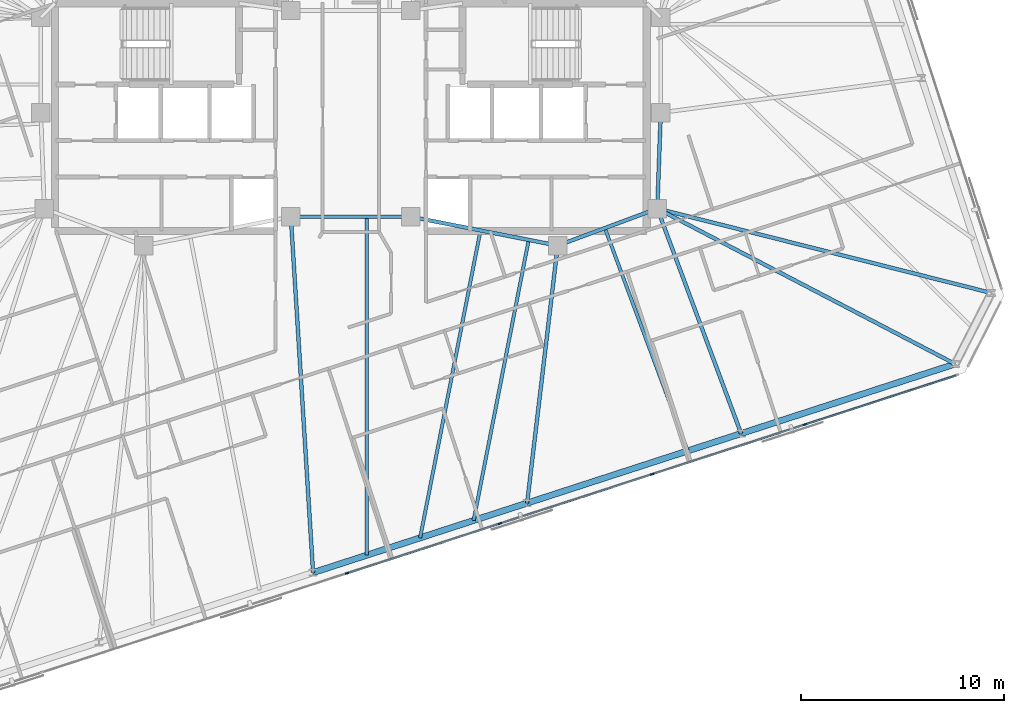
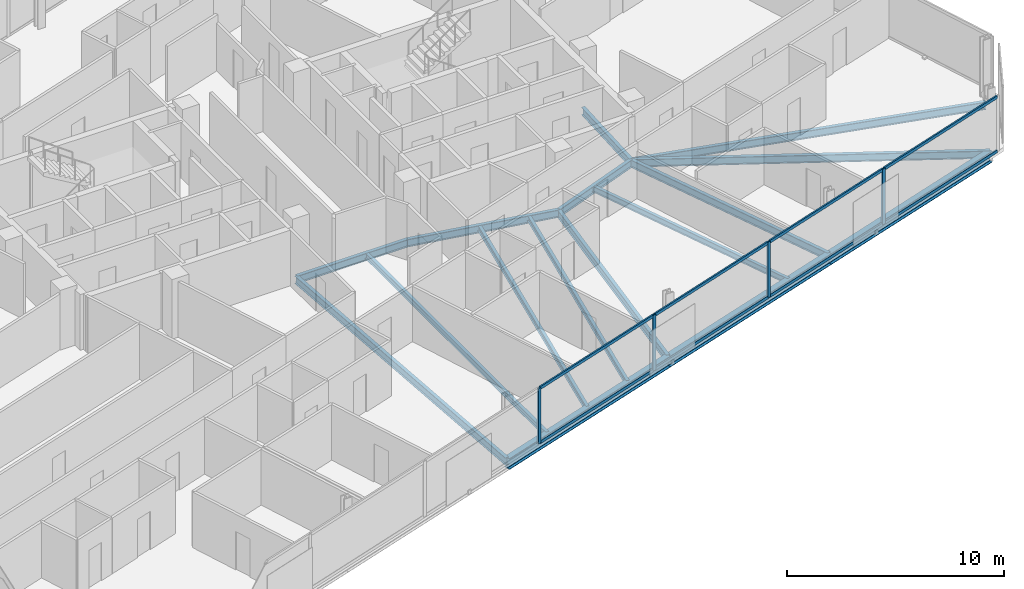
# One storey, part 7 of 19: 16 beams, 12 members, 1 element without a shape of its own.
"""IFC4 building model written with IfcOpenShell, lengths in metres."""

import ifcopenshell
import ifcopenshell.guid

model = None  # the IFC model being written
_history = None  # IfcOwnerHistory: only IFC2X3 demands one
_inside = {}  # id of a spatial element -> (the spatial element, [elements in it])
_under = {}  # id of a project, library or spatial element -> (it, [spatial elements below it])
_declared = {}  # id of a project -> (the project, [libraries it declares])
_typed = {}  # id of a type object -> (the type object, [elements of that type])
_made_of = {}  # id of a material, layer set ... -> (it, [elements and type objects made of it])


def new_model(schema):
    """Start an empty IFC model of exactly this schema.

    Asked for "IFC4X3", IfcOpenShell would pick the latest addendum, in which some entities
    have other attributes; the version numbers below select the first issue.
    IFC2X3 requires an IfcOwnerHistory on every rooted entity: one is made here for all.
    """
    global model, _history
    if schema == "IFC4X3":
        model = ifcopenshell.file(schema_version=(4, 3, 0, 0))
    else:
        model = ifcopenshell.file(schema=schema)
    _inside.clear()
    _under.clear()
    _declared.clear()
    _typed.clear()
    _made_of.clear()
    _history = None
    if model.schema == "IFC2X3":
        org = make("IfcOrganization", Name="unknown")
        user = make(
            "IfcPersonAndOrganization",
            ThePerson=make("IfcPerson", FamilyName="unknown"),
            TheOrganization=org,
        )
        app = make(
            "IfcApplication",
            ApplicationDeveloper=org,
            Version="unknown",
            ApplicationFullName="unknown",
            ApplicationIdentifier="unknown",
        )
        _history = make(
            "IfcOwnerHistory",
            OwningUser=user,
            OwningApplication=app,
            ChangeAction="ADDED",
            CreationDate=0,
        )
    return model


def make(cls, **values):
    """One entity of the class cls with the attributes given. An attribute that is None is left unset."""
    return model.create_entity(
        cls, **{name: value for name, value in values.items() if value is not None}
    )


def rooted(cls, **values):
    """An entity with a GlobalId (a new one), such as an element, a storey or a relation."""
    return make(cls, GlobalId=ifcopenshell.guid.new(), OwnerHistory=_history, **values)


def si_unit(unit_type, name, prefix=None):
    """IfcSIUnit, for example si_unit("LENGTHUNIT", "METRE", prefix="MILLI")."""
    return make("IfcSIUnit", UnitType=unit_type, Prefix=prefix, Name=name)


def assignment(units):
    """IfcUnitAssignment: the units of a project."""
    return None if units is None else make("IfcUnitAssignment", Units=units)


def point(xyz):
    """IfcCartesianPoint."""
    return None if xyz is None else make("IfcCartesianPoint", Coordinates=xyz)


def direction(xyz):
    """IfcDirection."""
    return None if xyz is None else make("IfcDirection", DirectionRatios=xyz)


def frame(location, z_axis=None, x_axis=None):
    """IfcAxis2Placement3D, a coordinate frame: its origin and axes. An axis left out is left unset."""
    return make(
        "IfcAxis2Placement3D",
        Location=point(location),
        Axis=direction(z_axis),
        RefDirection=direction(x_axis),
    )


def frame_2d(location, x_axis=None):
    """IfcAxis2Placement2D, a coordinate frame in the plane: its origin and x axis."""
    return make(
        "IfcAxis2Placement2D", Location=point(location), RefDirection=direction(x_axis)
    )


def origin():
    """The frame at (0, 0, 0) with its axes left unset."""
    return frame((0.0, 0.0, 0.0))


def origin_2d():
    """The frame at (0, 0) in the plane with its x axis left unset."""
    return frame_2d((0.0, 0.0))


def place(relative_to, where):
    """IfcLocalPlacement: puts the frame where relative to a parent placement (None: the world)."""
    return make(
        "IfcLocalPlacement", PlacementRelTo=relative_to, RelativePlacement=where
    )


def context(
    kind, dimensions, precision=None, world=None, true_north=None, identifier=None
):
    """IfcGeometricRepresentationContext, for example the 3D "Model" context."""
    return make(
        "IfcGeometricRepresentationContext",
        ContextIdentifier=identifier,
        ContextType=kind,
        CoordinateSpaceDimension=dimensions,
        Precision=precision,
        WorldCoordinateSystem=world,
        TrueNorth=true_north,
    )


def subcontext(parent, identifier, kind, view, scale=None):
    """IfcGeometricRepresentationSubContext, for example "Body" below "Model"."""
    return make(
        "IfcGeometricRepresentationSubContext",
        ContextIdentifier=identifier,
        ContextType=kind,
        ParentContext=parent,
        TargetScale=scale,
        TargetView=view,
    )


def project(units=None, contexts=None):
    """IfcProject with its units and contexts."""
    return rooted(
        "IfcProject",
        Name="project",
        RepresentationContexts=contexts,
        UnitsInContext=assignment(units),
    )


def spatial(cls, under=None, at=None, **own):
    """A site, building, storey or space (cls), placed at a placement, below another one or the project."""
    s = rooted(cls, ObjectPlacement=at, **own)
    if under is not None:
        _under.setdefault(under.id(), (under, []))[1].append(s)
    return s


def profile(cls, at=None, kind="AREA", **sizes):
    """A parametric profile (cls). Its sizes go by their IFC names, for example OverallWidth=200.0."""
    return make(cls, ProfileType=kind, Position=at, **sizes)


def rectangle(**sizes):
    """IfcRectangleProfileDef."""
    return profile("IfcRectangleProfileDef", **sizes)


def i_section(**sizes):
    """IfcIShapeProfileDef."""
    return profile("IfcIShapeProfileDef", **sizes)


def extrude(swept, where, along, depth):
    """IfcExtrudedAreaSolid: the profile swept, set in the frame where, extruded along a direction by depth."""
    return make(
        "IfcExtrudedAreaSolid",
        SweptArea=swept,
        Position=where,
        ExtrudedDirection=direction(along),
        Depth=depth,
    )


def shape(context_of_items, identifier, shape_type, items):
    """IfcShapeRepresentation: the items that make up one representation, for example the "Body"."""
    return make(
        "IfcShapeRepresentation",
        ContextOfItems=context_of_items,
        RepresentationIdentifier=identifier,
        RepresentationType=shape_type,
        Items=items,
    )


def material(Name=None, Category=None):
    """IfcMaterial."""
    return make("IfcMaterial", Name=Name, Category=Category)


def material_profile(
    of_material, cross_section, Name=None, Category=None, Priority=None
):
    """IfcMaterialProfile: a cross section and its material."""
    return make(
        "IfcMaterialProfile",
        Name=Name,
        Material=of_material,
        Profile=cross_section,
        Priority=Priority,
        Category=Category,
    )


def profile_set(profiles, Name=None, composite=None):
    """IfcMaterialProfileSet."""
    return make(
        "IfcMaterialProfileSet",
        Name=Name,
        MaterialProfiles=profiles,
        CompositeProfile=composite,
    )


def made_of(thing, what):
    """Note that an element or type object is made of a material, layer set ...; save() writes the relation."""
    if what is not None:
        _made_of.setdefault(what.id(), (what, []))[1].append(thing)
    return thing


def type_object(cls, material=None, **own):
    """A type object (cls), such as IfcWallType, which elements share."""
    return made_of(rooted(cls, **own), material)


def element(
    cls,
    number,
    at=None,
    inside=None,
    cuts=None,
    type_object=None,
    material=None,
    context=None,
    identifier="Body",
    shape_type=None,
    held_by="IfcProductDefinitionShape",
    body=None,
    shapes=None,
    **own,
):
    """One element of the class cls, such as IfcWall. Its Tag is "e" and its number.

    at: its placement. inside: the storey or other place that contains it. cuts: it is an
    opening in that element (IfcRelVoidsElement). A single representation is given by context,
    identifier, shape_type and body (its items); several are given by shapes. held_by: the class
    of the entity that holds the representations. save() writes the other relations.
    """
    e = rooted(cls, Tag="e%d" % number, ObjectPlacement=at, **own)
    if body is not None:
        shapes = [shape(context, identifier, shape_type, body)]
    if shapes is not None:
        e.Representation = make(held_by, Representations=shapes)
    if inside is not None:
        _inside.setdefault(inside.id(), (inside, []))[1].append(e)
    if cuts is not None:
        rooted(
            "IfcRelVoidsElement", RelatingBuildingElement=cuts, RelatedOpeningElement=e
        )
    if type_object is not None:
        _typed.setdefault(type_object.id(), (type_object, []))[1].append(e)
    return made_of(e, material)


def aggregate(whole, parts):
    """IfcRelAggregates: a whole, such as a stair, and the parts it consists of."""
    return rooted("IfcRelAggregates", RelatingObject=whole, RelatedObjects=parts)


def save(model, path):
    """Write the relations noted so far, then the file.

    IfcRelAggregates (storeys below a building ...), IfcRelContainedInSpatialStructure (elements
    in a storey), IfcRelDefinesByType, IfcRelAssociatesMaterial and IfcRelDeclares: one each for
    every whole, place, type object, material and project.
    """
    for whole, parts in _under.values():
        aggregate(whole, parts)
    for where, things in _inside.values():
        rooted(
            "IfcRelContainedInSpatialStructure",
            RelatedElements=things,
            RelatingStructure=where,
        )
    for kind, things in _typed.values():
        rooted("IfcRelDefinesByType", RelatedObjects=things, RelatingType=kind)
    for what, things in _made_of.values():
        rooted("IfcRelAssociatesMaterial", RelatedObjects=things, RelatingMaterial=what)
    for by, libraries in _declared.values():
        rooted("IfcRelDeclares", RelatingContext=by, RelatedDefinitions=libraries)
    model.write(path)


model = new_model("IFC4")

# Units and contexts
model_context = context("Model", 3, precision=1e-05, world=origin(), true_north=direction((0.0, 1.0)))
body_context = subcontext(model_context, "Body", "Model", "MODEL_VIEW")
ifc_project = project(units=[si_unit("LENGTHUNIT", "METRE"), si_unit("AREAUNIT", "SQUARE_METRE"), si_unit("VOLUMEUNIT", "CUBIC_METRE"), si_unit("PLANEANGLEUNIT", "RADIAN"), si_unit("MASSUNIT", "GRAM", prefix="KILO")], contexts=[model_context])

# Site, building, storey
site_placement = place(None, origin())
site = spatial("IfcSite", under=ifc_project, at=site_placement, CompositionType="ELEMENT")
building_placement = place(site_placement, origin())
building = spatial("IfcBuilding", under=site, at=building_placement, Name="Menara Jurai Vektor", CompositionType="ELEMENT")
storey_placement = place(building_placement, frame((0.0, 0.0, 241.050048828125)))
storey = spatial("IfcBuildingStorey", under=building, at=storey_placement, Name="L64", CompositionType="ELEMENT", Elevation=241.050048828125)

# Curtain wall, members
ifc_material_1 = material(Name="Anodised Pale Aluminium & Low-E Double Glazing", Category="aluminium")
curtain_wall_type = type_object("IfcCurtainWallType", Name="CW-BLK4", PredefinedType="NOTDEFINED", material=ifc_material_1)
curtain_wall_placement = place(storey_placement, origin())
curtain_wall = element("IfcCurtainWall", 1, at=curtain_wall_placement, inside=storey, type_object=curtain_wall_type, Name="Unitised Curtain Wall L64 F01", PredefinedType="NOTDEFINED")
ifc_material_2 = material(Name="Anodised Pale Aluminium Mullion", Category="aluminium")
ifc_material_profile_1 = material_profile(ifc_material_2, rectangle(XDim=0.080078125, YDim=0.18994140625, at=origin_2d()), Name="ALU MUL 80x190")
ifc_profile_set_1 = profile_set([ifc_material_profile_1], Name="Anodised Pale Aluminium Mullion")
member_type_1 = type_object("IfcMemberType", Name="CW-BLK4-MUL", PredefinedType="MULLION", material=ifc_profile_set_1)
member_1_placement = place(storey_placement, frame((-0.17236328125, -22.4404296875, 0.0), z_axis=(0.0, 0.0, 1.0), x_axis=(-0.309017344167, 0.951056402641, 0.0)))
member_1 = element("IfcMember", 2, at=member_1_placement, type_object=member_type_1, Name="CW-04 mullion 4", PredefinedType="MULLION", context=body_context, shape_type="SweptSolid", body=[
    extrude(rectangle(XDim=0.080078125, YDim=0.18994140625, at=origin_2d()), origin(), (0.0, 0.0, 1.0), 3.125),
])
member_2_placement = place(storey_placement, frame((7.3330078125, -20.001953125, 0.0), z_axis=(0.0, 0.0, 1.0), x_axis=(-0.309017344167, 0.951056402641, 0.0)))
member_2 = element("IfcMember", 3, at=member_2_placement, type_object=member_type_1, Name="CW-04 mullion 5", PredefinedType="MULLION", context=body_context, shape_type="SweptSolid", body=[
    extrude(rectangle(XDim=0.080078125, YDim=0.18994140625, at=origin_2d()), origin(), (0.0, 0.0, 1.0), 3.125),
])
member_3_placement = place(storey_placement, frame((14.838134765625, -17.563232421875, 0.0), z_axis=(0.0, 0.0, 1.0), x_axis=(-0.309017344167, 0.951056402641, 0.0)))
member_3 = element("IfcMember", 4, at=member_3_placement, type_object=member_type_1, Name="CW-04 mullion 6", PredefinedType="MULLION", context=body_context, shape_type="SweptSolid", body=[
    extrude(rectangle(XDim=0.080078125, YDim=0.18994140625, at=origin_2d()), origin(), (0.0, 0.0, 1.0), 3.125),
])
member_4_placement = place(storey_placement, frame((22.34326171875, -15.124755859375, 0.0), z_axis=(0.0, 0.0, 1.0), x_axis=(-0.309017344167, 0.951056402641, 0.0)))
member_4 = element("IfcMember", 5, at=member_4_placement, type_object=member_type_1, Name="CW-04 mullion 7", PredefinedType="MULLION", context=body_context, shape_type="SweptSolid", body=[
    extrude(rectangle(XDim=0.080078125, YDim=0.18994140625, at=origin_2d()), origin(), (0.0, 0.0, 1.0), 3.125),
])
ifc_material_3 = material(Name="Anodised Pale Aluminium Transom", Category="aluminium")
ifc_material_profile_2 = material_profile(ifc_material_3, rectangle(XDim=0.080078125, YDim=0.1650390625, at=origin_2d()), Name="ALU TRN 80x165")
ifc_profile_set_2 = profile_set([ifc_material_profile_2], Name="Anodised Pale Aluminium Transom")
member_type_2 = type_object("IfcMemberType", Name="CW-BLK4-TRN", PredefinedType="USERDEFINED", material=ifc_profile_set_2)
member_5_placement = place(storey_placement, frame((-0.13427734375, -22.427978515625, 0.0400390625), z_axis=(0.951059330237, 0.309008333817, 0.0), x_axis=(-0.309008333817, 0.951059330237, 0.0)))
member_5 = element("IfcMember", 6, at=member_5_placement, type_object=member_type_2, Name="CW-04 transom 4.1", ObjectType="TRANSOM", PredefinedType="USERDEFINED", context=body_context, shape_type="SweptSolid", body=[
    extrude(rectangle(XDim=0.080078125, YDim=0.1650390625, at=origin_2d()), origin(), (0.0, 0.0, 1.0), 7.8115234375),
])
member_6_placement = place(storey_placement, frame((-0.13427734375, -22.427978515625, 3.0849609375), z_axis=(0.951059330237, 0.309008333817, 0.0), x_axis=(-0.309008333817, 0.951059330237, 0.0)))
member_6 = element("IfcMember", 7, at=member_6_placement, type_object=member_type_2, Name="CW-04 transom 4.2", ObjectType="TRANSOM", PredefinedType="USERDEFINED", context=body_context, shape_type="SweptSolid", body=[
    extrude(rectangle(XDim=0.080078125, YDim=0.1650390625, at=origin_2d()), origin(), (0.0, 0.0, 1.0), 7.8115234375),
])
member_7_placement = place(storey_placement, frame((7.37109375, -19.989501953125, 0.0400390625), z_axis=(0.95105634578, 0.309017519167, 0.0), x_axis=(-0.309017519167, 0.95105634578, 0.0)))
member_7 = element("IfcMember", 8, at=member_7_placement, type_object=member_type_2, Name="CW-04 transom 5.1", ObjectType="TRANSOM", PredefinedType="USERDEFINED", context=body_context, shape_type="SweptSolid", body=[
    extrude(rectangle(XDim=0.080078125, YDim=0.1650390625, at=origin_2d()), origin(), (0.0, 0.0, 1.0), 7.811279296875),
])
member_8_placement = place(storey_placement, frame((7.37109375, -19.989501953125, 3.0849609375), z_axis=(0.95105634578, 0.309017519167, 0.0), x_axis=(-0.309017519167, 0.95105634578, 0.0)))
member_8 = element("IfcMember", 9, at=member_8_placement, type_object=member_type_2, Name="CW-04 transom 5.2", ObjectType="TRANSOM", PredefinedType="USERDEFINED", context=body_context, shape_type="SweptSolid", body=[
    extrude(rectangle(XDim=0.080078125, YDim=0.1650390625, at=origin_2d()), origin(), (0.0, 0.0, 1.0), 7.811279296875),
])
member_9_placement = place(storey_placement, frame((14.876220703125, -17.551025390625, 0.0400390625), z_axis=(0.95104715984, 0.309045789099, 0.0), x_axis=(-0.309045789099, 0.95104715984, 0.0)))
member_9 = element("IfcMember", 10, at=member_9_placement, type_object=member_type_2, Name="CW-04 transom 6.1", ObjectType="TRANSOM", PredefinedType="USERDEFINED", context=body_context, shape_type="SweptSolid", body=[
    extrude(rectangle(XDim=0.080078125, YDim=0.1650390625, at=origin_2d()), origin(), (0.0, 0.0, 1.0), 7.811279296875),
])
member_10_placement = place(storey_placement, frame((14.876220703125, -17.551025390625, 3.0849609375), z_axis=(0.95104715984, 0.309045789099, 0.0), x_axis=(-0.309045789099, 0.95104715984, 0.0)))
member_10 = element("IfcMember", 11, at=member_10_placement, type_object=member_type_2, Name="CW-04 transom 6.2", ObjectType="TRANSOM", PredefinedType="USERDEFINED", context=body_context, shape_type="SweptSolid", body=[
    extrude(rectangle(XDim=0.080078125, YDim=0.1650390625, at=origin_2d()), origin(), (0.0, 0.0, 1.0), 7.811279296875),
])
member_11_placement = place(storey_placement, frame((22.38134765625, -15.1123046875, 0.0400390625), z_axis=(0.951062230089, 0.308999408573, 0.0), x_axis=(-0.308999408573, 0.951062230089, 0.0)))
member_11 = element("IfcMember", 12, at=member_11_placement, type_object=member_type_2, Name="CW-04 transom 7.1", ObjectType="TRANSOM", PredefinedType="USERDEFINED", context=body_context, shape_type="SweptSolid", body=[
    extrude(rectangle(XDim=0.080078125, YDim=0.1650390625, at=origin_2d()), origin(), (0.0, 0.0, 1.0), 7.771484375),
])
member_12_placement = place(storey_placement, frame((22.38134765625, -15.1123046875, 3.0849609375), z_axis=(0.951062230089, 0.308999408573, 0.0), x_axis=(-0.308999408573, 0.951062230089, 0.0)))
member_12 = element("IfcMember", 13, at=member_12_placement, type_object=member_type_2, Name="CW-04 transom 7.2", ObjectType="TRANSOM", PredefinedType="USERDEFINED", context=body_context, shape_type="SweptSolid", body=[
    extrude(rectangle(XDim=0.080078125, YDim=0.1650390625, at=origin_2d()), origin(), (0.0, 0.0, 1.0), 7.771484375),
])
aggregate(curtain_wall, [member_1, member_2, member_3, member_4, member_5, member_6, member_7, member_8, member_9, member_10, member_11, member_12])

# Beams
ifc_material_4 = material(Name="Steel S355", Category="steel")
ifc_material_profile_3 = material_profile(ifc_material_4, i_section(OverallWidth=0.18505859375, OverallDepth=0.429931640625, WebThickness=0.010986328125, FlangeThickness=0.01806640625, at=origin_2d()), Name="PG 430x185x76")
ifc_profile_set_3 = profile_set([ifc_material_profile_3], Name="Steel S355")
beam_type_1 = type_object("IfcBeamType", Name="STR-BM-430", PredefinedType="BEAM", material=ifc_profile_set_3)
beam_1_placement = place(storey_placement, frame((15.080078125, -4.5, -0.43994140625), z_axis=(0.035977314146, 0.999352606874, 0.0), x_axis=(-0.999352606874, 0.035977314146, 0.0)))
element("IfcBeam", 14, at=beam_1_placement, inside=storey, type_object=beam_type_1, Name="Core Ring Header Girder L64-CHE-E2", PredefinedType="BEAM", context=body_context, shape_type="SweptSolid", body=[
    extrude(i_section(OverallWidth=0.18505859375, OverallDepth=0.429931640625, WebThickness=0.010986328125, FlangeThickness=0.01806640625, at=origin_2d()), origin(), (0.0, 0.0, 1.0), 4.72314453125),
])
beam_2_placement = place(storey_placement, frame((10.179931640625, -6.320068359375, -0.43994140625), z_axis=(0.937424400887, 0.348188874925, 0.0), x_axis=(-0.348188874925, 0.937424400887, 0.0)))
element("IfcBeam", 15, at=beam_2_placement, inside=storey, type_object=beam_type_1, Name="Core Ring Header Girder L64-CHE-S1", PredefinedType="BEAM", context=body_context, shape_type="SweptSolid", body=[
    extrude(i_section(OverallWidth=0.18505859375, OverallDepth=0.429931640625, WebThickness=0.010986328125, FlangeThickness=0.01806640625, at=origin_2d()), origin(), (0.0, 0.0, 1.0), 5.227294921875),
])
beam_3_placement = place(storey_placement, frame((2.949951171875, -4.89990234375, -0.43994140625), z_axis=(0.981249044334, -0.192744164614, 0.0), x_axis=(0.192744164614, 0.981249044334, 0.0)))
element("IfcBeam", 16, at=beam_3_placement, inside=storey, type_object=beam_type_1, Name="Core Ring Header Girder L64-CHE-S2", PredefinedType="BEAM", context=body_context, shape_type="SweptSolid", body=[
    extrude(i_section(OverallWidth=0.18505859375, OverallDepth=0.429931640625, WebThickness=0.010986328125, FlangeThickness=0.01806640625, at=origin_2d()), origin(), (0.0, 0.0, 1.0), 7.3681640625),
])
beam_4_placement = place(storey_placement, frame((-2.949951171875, -4.89990234375, -0.43994140625), z_axis=(1.0, 0.0, 0.0), x_axis=(0.0, 1.0, 0.0)))
element("IfcBeam", 17, at=beam_4_placement, inside=storey, type_object=beam_type_1, Name="Core Ring Header Girder L64-CC-1", PredefinedType="BEAM", context=body_context, shape_type="SweptSolid", body=[
    extrude(i_section(OverallWidth=0.18505859375, OverallDepth=0.429931640625, WebThickness=0.010986328125, FlangeThickness=0.01806640625, at=origin_2d()), origin(), (0.0, 0.0, 1.0), 5.89990234375),
])
beam_5_placement = place(storey_placement, frame((-1.854248046875, -22.40869140625, -0.43994140625), z_axis=(-0.062457995419, 0.998047593458, 0.0), x_axis=(-0.998047593458, -0.062457995419, 0.0)))
element("IfcBeam", 18, at=beam_5_placement, inside=storey, type_object=beam_type_1, Name="Radial Floor Girder L64-S3", PredefinedType="BEAM", context=body_context, shape_type="SweptSolid", body=[
    extrude(i_section(OverallWidth=0.18505859375, OverallDepth=0.429931640625, WebThickness=0.010986328125, FlangeThickness=0.01806640625, at=origin_2d()), origin(), (0.0, 0.0, 1.0), 17.54296875),
])
beam_6_placement = place(storey_placement, frame((8.675048828125, -18.987548828125, -0.43994140625), z_axis=(0.117969360513, 0.99301723549, 0.0), x_axis=(-0.99301723549, 0.117969360513, 0.0)))
element("IfcBeam", 19, at=beam_6_placement, inside=storey, type_object=beam_type_1, Name="Radial Floor Girder L64-S4", PredefinedType="BEAM", context=body_context, shape_type="SweptSolid", body=[
    extrude(i_section(OverallWidth=0.18505859375, OverallDepth=0.429931640625, WebThickness=0.010986328125, FlangeThickness=0.01806640625, at=origin_2d()), origin(), (0.0, 0.0, 1.0), 12.756591796875),
])
beam_7_placement = place(storey_placement, frame((19.204345703125, -15.56640625, -0.43994140625), z_axis=(-0.349219718154, 0.93704086808, 0.0), x_axis=(-0.93704086808, -0.349219718154, 0.0)))
element("IfcBeam", 20, at=beam_7_placement, inside=storey, type_object=beam_type_1, Name="Radial Floor Girder L64-S5", PredefinedType="BEAM", context=body_context, shape_type="SweptSolid", body=[
    extrude(i_section(OverallWidth=0.18505859375, OverallDepth=0.429931640625, WebThickness=0.010986328125, FlangeThickness=0.01806640625, at=origin_2d()), origin(), (0.0, 0.0, 1.0), 11.81005859375),
])
beam_8_placement = place(storey_placement, frame((29.7333984375, -12.14501953125, -0.43994140625), z_axis=(-0.886589587068, 0.462556919851, 0.0), x_axis=(-0.462556919851, -0.886589587068, 0.0)))
element("IfcBeam", 21, at=beam_8_placement, inside=storey, type_object=beam_type_1, Name="Radial Floor Girder L64-S6", PredefinedType="BEAM", context=body_context, shape_type="SweptSolid", body=[
    extrude(i_section(OverallWidth=0.18505859375, OverallDepth=0.429931640625, WebThickness=0.010986328125, FlangeThickness=0.01806640625, at=origin_2d()), origin(), (0.0, 0.0, 1.0), 16.52783203125),
])
beam_9_placement = place(storey_placement, frame((31.513427734375, -8.652099609375, -0.43994140625), z_axis=(-0.969531956771, 0.244964864418, 0.0), x_axis=(-0.244964864418, -0.969531956771, 0.0)))
element("IfcBeam", 22, at=beam_9_placement, inside=storey, type_object=beam_type_1, Name="Radial Floor Girder L64-E1", PredefinedType="BEAM", context=body_context, shape_type="SweptSolid", body=[
    extrude(i_section(OverallWidth=0.18505859375, OverallDepth=0.429931640625, WebThickness=0.010986328125, FlangeThickness=0.01806640625, at=origin_2d()), origin(), (0.0, 0.0, 1.0), 16.94970703125),
])
ifc_material_profile_4 = material_profile(ifc_material_4, i_section(OverallWidth=0.1650390625, OverallDepth=0.330078125, WebThickness=0.009033203125, FlangeThickness=0.013916015625, at=origin_2d()), Name="PG 330x165x46")
ifc_profile_set_4 = profile_set([ifc_material_profile_4], Name="Steel S355")
beam_type_2 = type_object("IfcBeamType", Name="STR-JS-330", PredefinedType="JOIST", material=ifc_profile_set_4)
beam_10_placement = place(storey_placement, frame((0.778076171875, -21.55322265625, -0.39013671875), z_axis=(0.0, 1.0, 0.0), x_axis=(-1.0, 0.0, 0.0)))
element("IfcBeam", 23, at=beam_10_placement, inside=storey, type_object=beam_type_2, Name="Radial Secondary Floor Joist L64-JS05", PredefinedType="JOIST", context=body_context, shape_type="SweptSolid", body=[
    extrude(i_section(OverallWidth=0.1650390625, OverallDepth=0.330078125, WebThickness=0.009033203125, FlangeThickness=0.013916015625, at=origin_2d()), origin(), (0.0, 0.0, 1.0), 16.6533203125),
])
beam_11_placement = place(storey_placement, frame((3.410400390625, -20.697998046875, -0.39013671875), z_axis=(0.192721610081, 0.981253474393, 0.0), x_axis=(-0.981253474393, 0.192721610081, 0.0)))
element("IfcBeam", 24, at=beam_11_placement, inside=storey, type_object=beam_type_2, Name="Radial Secondary Floor Joist L64-JS06", PredefinedType="JOIST", context=body_context, shape_type="SweptSolid", body=[
    extrude(i_section(OverallWidth=0.1650390625, OverallDepth=0.330078125, WebThickness=0.009033203125, FlangeThickness=0.013916015625, at=origin_2d()), origin(), (0.0, 0.0, 1.0), 15.413330078125),
])
beam_12_placement = place(storey_placement, frame((6.042724609375, -19.8427734375, -0.39013671875), z_axis=(0.192720535629, 0.981253685418, 0.0), x_axis=(-0.981253685418, 0.192720535629, 0.0)))
element("IfcBeam", 25, at=beam_12_placement, inside=storey, type_object=beam_type_2, Name="Radial Secondary Floor Joist L64-JS07", PredefinedType="JOIST", context=body_context, shape_type="SweptSolid", body=[
    extrude(i_section(OverallWidth=0.1650390625, OverallDepth=0.330078125, WebThickness=0.009033203125, FlangeThickness=0.013916015625, at=origin_2d()), origin(), (0.0, 0.0, 1.0), 14.066650390625),
])
beam_13_placement = place(storey_placement, frame((16.572021484375, -16.421630859375, -0.39013671875), z_axis=(-0.348179715909, 0.937427802782, 0.0), x_axis=(-0.937427802782, -0.348179715909, 0.0)))
element("IfcBeam", 26, at=beam_13_placement, inside=storey, type_object=beam_type_2, Name="Radial Secondary Floor Joist L64-JS08", PredefinedType="JOIST", context=body_context, shape_type="SweptSolid", body=[
    extrude(i_section(OverallWidth=0.1650390625, OverallDepth=0.330078125, WebThickness=0.009033203125, FlangeThickness=0.013916015625, at=origin_2d()), origin(), (0.0, 0.0, 1.0), 11.695068359375),
])
ifc_material_profile_5 = material_profile(ifc_material_4, i_section(OverallWidth=0.306884765625, OverallDepth=0.6201171875, WebThickness=0.013916015625, FlangeThickness=0.02392578125, FilletRadius=0.01708984375, at=origin_2d()), Name="UKB 610x305x179")
ifc_profile_set_5 = profile_set([ifc_material_profile_5], Name="Steel S355")
beam_type_3 = type_object("IfcBeamType", Name="STR-SP-610", PredefinedType="SPANDREL", material=ifc_profile_set_5)
for number, where, z_axis, x_axis, name in (
    (27, (-1.854248046875, -22.40869140625, -0.53515625), (0.951057401967, 0.309014268544, 0.0), (-0.309014268544, 0.951057401967, 0.0), "Exoskeleton Spandrel Beam L64-03"),
    (28, (8.675048828125, -18.987548828125, -0.53515625), (0.951057401967, 0.309014268544, 0.0), (-0.309014268544, 0.951057401967, 0.0), "Exoskeleton Spandrel Beam L64-04"),
    (29, (19.204345703125, -15.56640625, -0.53515625), (0.951048814879, 0.309040695892, 0.0), (-0.309040695892, 0.951048814879, 0.0), "Exoskeleton Spandrel Beam L64-05"),
):
    element("IfcBeam", number, at=place(storey_placement, frame(where, z_axis=z_axis, x_axis=x_axis)), inside=storey, type_object=beam_type_3, Name=name, PredefinedType="SPANDREL", context=body_context, shape_type="SweptSolid", body=[
        extrude(i_section(OverallWidth=0.306884765625, OverallDepth=0.6201171875, WebThickness=0.013916015625, FlangeThickness=0.02392578125, FilletRadius=0.01708984375, at=origin_2d()), origin(), (0.0, 0.0, 1.0), 11.071044921875),
    ])

save(model, "model.ifc")
